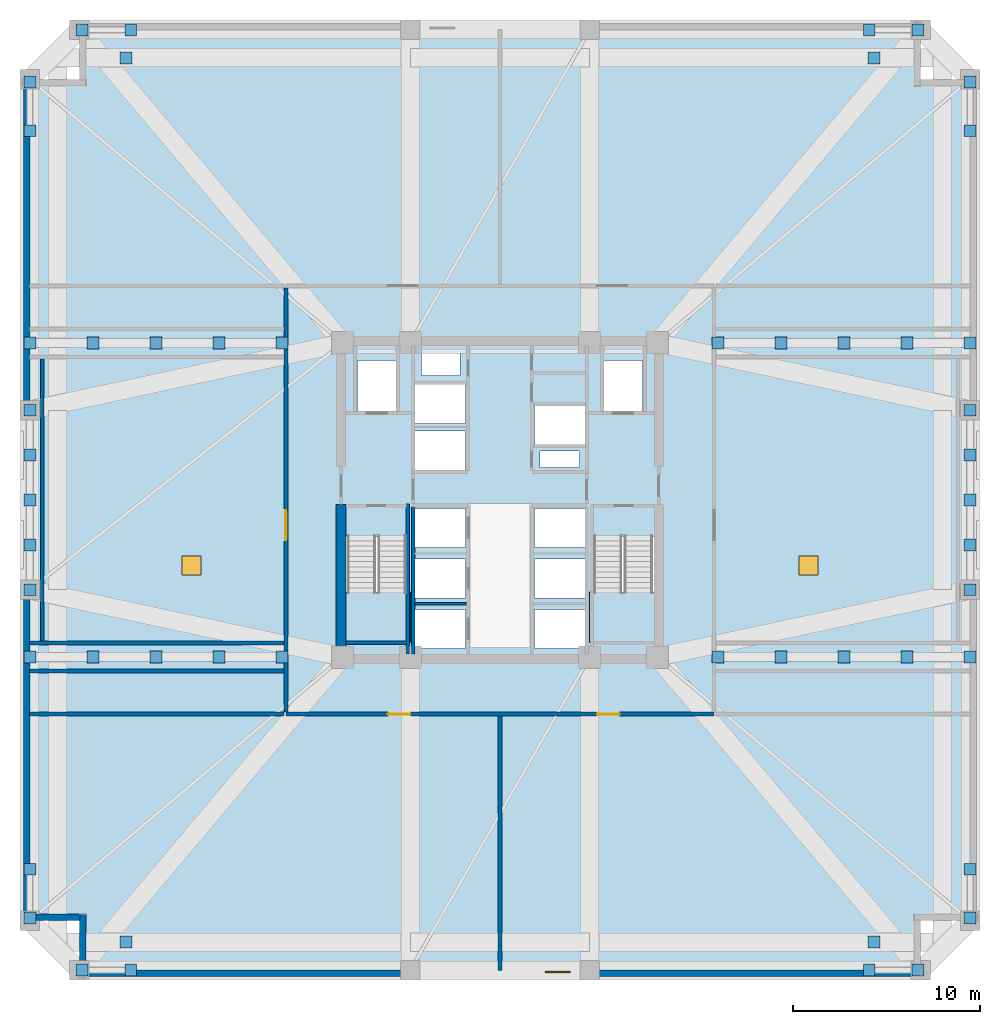
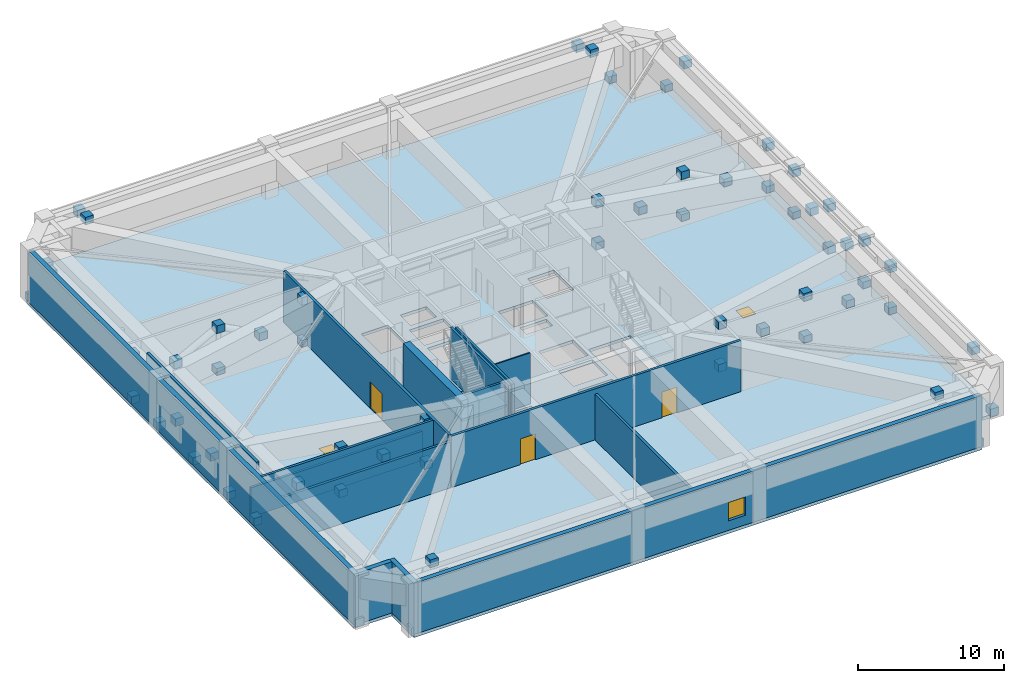
# One storey, part 6 of 13: 68 plates, 16 walls, 5 doors, 3 slabs, 1 window, 6 openings, 2 elements without a shape of their own.
"""IFC4 building model written with IfcOpenShell, lengths in metres."""

from ifc_helpers import new_model, si_unit, direction, frame, frame_2d, origin, origin_2d, place, context, subcontext, project, spatial, polyline, rectangle, outline, extrude, material, layer, layer_set, type_object, element, fill, aggregate, save


model = new_model("IFC4")

# Units and contexts
model_context = context("Model", 3, precision=1e-05, world=origin(), true_north=direction((0.0, 1.0)))
body_context = subcontext(model_context, "Body", "Model", "MODEL_VIEW")
ifc_project = project(units=[si_unit("LENGTHUNIT", "METRE"), si_unit("AREAUNIT", "SQUARE_METRE"), si_unit("VOLUMEUNIT", "CUBIC_METRE"), si_unit("PLANEANGLEUNIT", "RADIAN"), si_unit("MASSUNIT", "GRAM", prefix="KILO")], contexts=[model_context])

# Site, building, storey
site_placement = place(None, origin())
site = spatial("IfcSite", under=ifc_project, at=site_placement, CompositionType="ELEMENT")
building_placement = place(site_placement, origin())
building = spatial("IfcBuilding", under=site, at=building_placement, Name="Cairnveth Concourse Tower", CompositionType="ELEMENT")
storey_placement = place(building_placement, frame((0.0, 0.0, 97.0)))
storey = spatial("IfcBuildingStorey", under=building, at=storey_placement, Name="L26", CompositionType="ELEMENT", Elevation=97.0)

# Plates
ifc_material_1 = material(Name="Steel Grade 350", Category="steel")
ifc_layer_1 = layer(ifc_material_1, 0.028076171875)
ifc_layer_set_1 = layer_set([ifc_layer_1], Name="Steel Grade 350")
plate_type_1 = type_object("IfcPlateType", Name="BELT TRUSS SPLICE CAP PLATE 28", PredefinedType="SHEET", material=ifc_layer_set_1)
for number, where, z_axis, x_axis, name in (
    (1, (26.85009765625, 34.199951171875, -0.06982421875), (0.0, 0.0, 1.0), (1.0, 0.0, 0.0), "Structural Node Plate 0449 L26"),
    (2, (26.85009765625, 39.0, 3.51025390625), (0.0, 0.0, 1.0), (1.0, 0.0, 0.0), "Structural Node Plate 0450 L26"),
    (3, (26.85009765625, 36.60009765625, 1.72021484375), (0.0, 0.0, 1.0), (1.0, 0.0, 0.0), "Structural Node Plate 0451 L26"),
    (4, (26.85009765625, 39.0, -0.06982421875), (0.0, 0.0, 1.0), (1.0, 0.0, 0.0), "Structural Node Plate 0452 L26"),
    (5, (26.85009765625, 34.199951171875, 3.51025390625), (0.0, 0.0, 1.0), (1.0, 0.0, 0.0), "Structural Node Plate 0453 L26"),
    (6, (26.85009765625, 43.800048828125, 3.51025390625), (0.0, 0.0, 1.0), (1.0, 0.0, 0.0), "Structural Node Plate 0454 L26"),
    (7, (26.85009765625, 41.39990234375, 1.72021484375), (0.0, 0.0, 1.0), (1.0, 0.0, 0.0), "Structural Node Plate 0455 L26"),
    (8, (26.85009765625, 43.800048828125, -0.06982421875), (0.0, 0.0, 1.0), (1.0, 0.0, 0.0), "Structural Node Plate 0456 L26"),
    (9, (77.14990234375, 34.199951171875, -0.06982421875), (0.0, 0.0, 1.0), (1.0, 0.0, 0.0), "Structural Node Plate 0457 L26"),
    (10, (77.14990234375, 39.0, 3.51025390625), (0.0, 0.0, 1.0), (1.0, 0.0, 0.0), "Structural Node Plate 0458 L26"),
    (11, (77.14990234375, 36.60009765625, 1.72021484375), (0.0, 0.0, 1.0), (1.0, 0.0, 0.0), "Structural Node Plate 0459 L26"),
    (12, (77.14990234375, 39.0, -0.06982421875), (0.0, 0.0, 1.0), (1.0, 0.0, 0.0), "Structural Node Plate 0460 L26"),
    (13, (77.14990234375, 34.199951171875, 3.51025390625), (0.0, 0.0, 1.0), (1.0, 0.0, 0.0), "Structural Node Plate 0461 L26"),
    (14, (77.14990234375, 43.800048828125, 3.51025390625), (0.0, 0.0, 1.0), (1.0, 0.0, 0.0), "Structural Node Plate 0462 L26"),
    (15, (77.14990234375, 41.39990234375, 1.72021484375), (0.0, 0.0, 1.0), (1.0, 0.0, 0.0), "Structural Node Plate 0463 L26"),
    (16, (77.14990234375, 43.800048828125, -0.06982421875), (0.0, 0.0, 1.0), (1.0, 0.0, 0.0), "Structural Node Plate 0464 L26"),
):
    element("IfcPlate", number, at=place(storey_placement, frame(where, z_axis=z_axis, x_axis=x_axis)), inside=storey, type_object=plate_type_1, Name=name, PredefinedType="SHEET", context=body_context, shape_type="SweptSolid", body=[
        extrude(rectangle(XDim=0.639892578125, YDim=0.639892578125, at=origin_2d()), origin(), (0.0, 0.0, 1.0), 0.639892578125),
    ])
ifc_layer_2 = layer(ifc_material_1, 0.050048828125)
ifc_layer_set_2 = layer_set([ifc_layer_2], Name="Steel Grade 350")
plate_type_2 = type_object("IfcPlateType", Name="LOW OUTRIGGER NODE GUSSET PLATE 50", PredefinedType="USERDEFINED", material=ifc_layer_set_2)
for number, where, z_axis, x_axis, name in (
    (17, (26.85009765625, 30.60009765625, -0.06982421875), (0.0, 0.0, 1.0), (1.0, 0.0, 0.0), "Structural Node Plate 0417 L26"),
    (18, (33.60009765625, 30.60009765625, 3.51025390625), (0.0, 0.0, 1.0), (1.0, 0.0, 0.0), "Structural Node Plate 0418 L26"),
    (19, (30.22509765625, 30.60009765625, 1.72021484375), (0.0, 0.0, 1.0), (1.0, 0.0, 0.0), "Structural Node Plate 0419 L26"),
    (20, (26.85009765625, 30.60009765625, 3.51025390625), (0.0, 0.0, 1.0), (1.0, 0.0, 0.0), "Structural Node Plate 0420 L26"),
    (21, (33.60009765625, 30.60009765625, -0.06982421875), (0.0, 0.0, 1.0), (1.0, 0.0, 0.0), "Structural Node Plate 0421 L26"),
    (22, (40.35009765625, 30.60009765625, 3.51025390625), (0.0, 0.0, 1.0), (1.0, 0.0, 0.0), "Structural Node Plate 0422 L26"),
    (23, (36.97509765625, 30.60009765625, 1.72021484375), (0.0, 0.0, 1.0), (1.0, 0.0, 0.0), "Structural Node Plate 0423 L26"),
    (24, (40.35009765625, 30.60009765625, -0.06982421875), (0.0, 0.0, 1.0), (1.0, 0.0, 0.0), "Structural Node Plate 0424 L26"),
    (25, (26.85009765625, 47.39990234375, -0.06982421875), (0.0, 0.0, 1.0), (1.0, 0.0, 0.0), "Structural Node Plate 0425 L26"),
    (26, (33.60009765625, 47.39990234375, 3.51025390625), (0.0, 0.0, 1.0), (1.0, 0.0, 0.0), "Structural Node Plate 0426 L26"),
    (27, (30.22509765625, 47.39990234375, 1.72021484375), (0.0, 0.0, 1.0), (1.0, 0.0, 0.0), "Structural Node Plate 0427 L26"),
    (28, (26.85009765625, 47.39990234375, 3.51025390625), (0.0, 0.0, 1.0), (1.0, 0.0, 0.0), "Structural Node Plate 0428 L26"),
    (29, (33.60009765625, 47.39990234375, -0.06982421875), (0.0, 0.0, 1.0), (1.0, 0.0, 0.0), "Structural Node Plate 0429 L26"),
    (30, (40.35009765625, 47.39990234375, 3.51025390625), (0.0, 0.0, 1.0), (1.0, 0.0, 0.0), "Structural Node Plate 0430 L26"),
    (31, (36.97509765625, 47.39990234375, 1.72021484375), (0.0, 0.0, 1.0), (1.0, 0.0, 0.0), "Structural Node Plate 0431 L26"),
    (32, (40.35009765625, 47.39990234375, -0.06982421875), (0.0, 0.0, 1.0), (1.0, 0.0, 0.0), "Structural Node Plate 0432 L26"),
    (33, (63.64990234375, 30.60009765625, -0.06982421875), (0.0, 0.0, 1.0), (1.0, 0.0, 0.0), "Structural Node Plate 0433 L26"),
    (34, (70.39990234375, 30.60009765625, 3.51025390625), (0.0, 0.0, 1.0), (1.0, 0.0, 0.0), "Structural Node Plate 0434 L26"),
    (35, (67.02490234375, 30.60009765625, 1.72021484375), (0.0, 0.0, 1.0), (1.0, 0.0, 0.0), "Structural Node Plate 0435 L26"),
    (36, (63.64990234375, 30.60009765625, 3.51025390625), (0.0, 0.0, 1.0), (1.0, 0.0, 0.0), "Structural Node Plate 0436 L26"),
    (37, (70.39990234375, 30.60009765625, -0.06982421875), (0.0, 0.0, 1.0), (1.0, 0.0, 0.0), "Structural Node Plate 0437 L26"),
    (38, (77.14990234375, 30.60009765625, 3.51025390625), (0.0, 0.0, 1.0), (1.0, 0.0, 0.0), "Structural Node Plate 0438 L26"),
    (39, (73.77490234375, 30.60009765625, 1.72021484375), (0.0, 0.0, 1.0), (1.0, 0.0, 0.0), "Structural Node Plate 0439 L26"),
    (40, (77.14990234375, 30.60009765625, -0.06982421875), (0.0, 0.0, 1.0), (1.0, 0.0, 0.0), "Structural Node Plate 0440 L26"),
    (41, (63.64990234375, 47.39990234375, -0.06982421875), (0.0, 0.0, 1.0), (1.0, 0.0, 0.0), "Structural Node Plate 0441 L26"),
    (42, (70.39990234375, 47.39990234375, 3.51025390625), (0.0, 0.0, 1.0), (1.0, 0.0, 0.0), "Structural Node Plate 0442 L26"),
    (43, (67.02490234375, 47.39990234375, 1.72021484375), (0.0, 0.0, 1.0), (1.0, 0.0, 0.0), "Structural Node Plate 0443 L26"),
    (44, (63.64990234375, 47.39990234375, 3.51025390625), (0.0, 0.0, 1.0), (1.0, 0.0, 0.0), "Structural Node Plate 0444 L26"),
    (45, (70.39990234375, 47.39990234375, -0.06982421875), (0.0, 0.0, 1.0), (1.0, 0.0, 0.0), "Structural Node Plate 0445 L26"),
    (46, (77.14990234375, 47.39990234375, 3.51025390625), (0.0, 0.0, 1.0), (1.0, 0.0, 0.0), "Structural Node Plate 0446 L26"),
    (47, (73.77490234375, 47.39990234375, 1.72021484375), (0.0, 0.0, 1.0), (1.0, 0.0, 0.0), "Structural Node Plate 0447 L26"),
    (48, (77.14990234375, 47.39990234375, -0.06982421875), (0.0, 0.0, 1.0), (1.0, 0.0, 0.0), "Structural Node Plate 0448 L26"),
):
    element("IfcPlate", number, at=place(storey_placement, frame(where, z_axis=z_axis, x_axis=x_axis)), inside=storey, type_object=plate_type_2, Name=name, ObjectType="GUSSET PLATE", PredefinedType="USERDEFINED", context=body_context, shape_type="SweptSolid", body=[
        extrude(rectangle(XDim=0.639892578125, YDim=0.639892578125, at=origin_2d()), origin(), (0.0, 0.0, 1.0), 0.639892578125),
    ])
ifc_layer_3 = layer(ifc_material_1, 0.0400390625)
ifc_layer_set_3 = layer_set([ifc_layer_3], Name="Steel Grade 350")
plate_type_3 = type_object("IfcPlateType", Name="LOWER SETBACK KINK NODE PLATE 40", PredefinedType="SHEET", material=ifc_layer_set_3)
for number, where, z_axis, x_axis, name in (
    (49, (32.0, 15.35009765625, 3.91015625), (0.0, 0.0, 1.0), (1.0, 0.0, 0.0), "Structural Node Plate 0397 L26"),
    (50, (72.0, 15.35009765625, 3.91015625), (0.0, 0.0, 1.0), (1.0, 0.0, 0.0), "Structural Node Plate 0398 L26"),
    (51, (72.0, 62.64990234375, 3.91015625), (0.0, 0.0, 1.0), (1.0, 0.0, 0.0), "Structural Node Plate 0399 L26"),
    (52, (32.0, 62.64990234375, 3.91015625), (0.0, 0.0, 1.0), (1.0, 0.0, 0.0), "Structural Node Plate 0400 L26"),
):
    element("IfcPlate", number, at=place(storey_placement, frame(where, z_axis=z_axis, x_axis=x_axis)), inside=storey, type_object=plate_type_3, Name=name, PredefinedType="SHEET", context=body_context, shape_type="SweptSolid", body=[
        extrude(rectangle(XDim=0.639892578125, YDim=0.639892578125, at=origin_2d()), origin(), (0.0, 0.0, 1.0), 0.639892578125),
    ])
ifc_layer_4 = layer(ifc_material_1, 0.031982421875)
ifc_layer_set_4 = layer_set([ifc_layer_4], Name="Steel Grade 350")
plate_type_4 = type_object("IfcPlateType", Name="PERIMETER BRACE GUSSET PLATE 32", PredefinedType="USERDEFINED", material=ifc_layer_set_4)
for number, where, z_axis, x_axis, name in (
    (53, (29.64990234375, 13.85009765625, -0.06982421875), (0.0, 0.0, 1.0), (1.0, 0.0, 0.0), "Structural Node Plate 0401 L26"),
    (54, (32.25, 13.85009765625, 3.51025390625), (0.0, 0.0, 1.0), (1.0, 0.0, 0.0), "Structural Node Plate 0402 L26"),
    (55, (74.35009765625, 13.85009765625, -0.06982421875), (0.0, 0.0, 1.0), (1.0, 0.0, 0.0), "Structural Node Plate 0403 L26"),
    (56, (71.75, 13.85009765625, 3.51025390625), (0.0, 0.0, 1.0), (1.0, 0.0, 0.0), "Structural Node Plate 0404 L26"),
    (57, (29.64990234375, 64.14990234375, -0.06982421875), (0.0, 0.0, 1.0), (1.0, 0.0, 0.0), "Structural Node Plate 0405 L26"),
    (58, (32.25, 64.14990234375, 3.51025390625), (0.0, 0.0, 1.0), (1.0, 0.0, 0.0), "Structural Node Plate 0406 L26"),
    (59, (74.35009765625, 64.14990234375, -0.06982421875), (0.0, 0.0, 1.0), (1.0, 0.0, 0.0), "Structural Node Plate 0407 L26"),
    (60, (71.75, 64.14990234375, 3.51025390625), (0.0, 0.0, 1.0), (1.0, 0.0, 0.0), "Structural Node Plate 0408 L26"),
    (61, (26.85009765625, 16.64990234375, -0.06982421875), (0.0, 0.0, 1.0), (1.0, 0.0, 0.0), "Structural Node Plate 0409 L26"),
    (62, (26.85009765625, 19.25, 3.51025390625), (0.0, 0.0, 1.0), (1.0, 0.0, 0.0), "Structural Node Plate 0410 L26"),
    (63, (26.85009765625, 61.35009765625, -0.06982421875), (0.0, 0.0, 1.0), (1.0, 0.0, 0.0), "Structural Node Plate 0411 L26"),
    (64, (26.85009765625, 58.75, 3.51025390625), (0.0, 0.0, 1.0), (1.0, 0.0, 0.0), "Structural Node Plate 0412 L26"),
    (65, (77.14990234375, 16.64990234375, -0.06982421875), (0.0, 0.0, 1.0), (1.0, 0.0, 0.0), "Structural Node Plate 0413 L26"),
    (66, (77.14990234375, 19.25, 3.51025390625), (0.0, 0.0, 1.0), (1.0, 0.0, 0.0), "Structural Node Plate 0414 L26"),
    (67, (77.14990234375, 61.35009765625, -0.06982421875), (0.0, 0.0, 1.0), (1.0, 0.0, 0.0), "Structural Node Plate 0415 L26"),
    (68, (77.14990234375, 58.75, 3.51025390625), (0.0, 0.0, 1.0), (1.0, 0.0, 0.0), "Structural Node Plate 0416 L26"),
):
    element("IfcPlate", number, at=place(storey_placement, frame(where, z_axis=z_axis, x_axis=x_axis)), inside=storey, type_object=plate_type_4, Name=name, ObjectType="GUSSET PLATE", PredefinedType="USERDEFINED", context=body_context, shape_type="SweptSolid", body=[
        extrude(rectangle(XDim=0.639892578125, YDim=0.639892578125, at=origin_2d()), origin(), (0.0, 0.0, 1.0), 0.639892578125),
    ])

# Slab, openings, doors
ifc_material_2 = material(Name="Concrete N65 (65 MPa)", Category="concrete")
ifc_layer_5 = layer(ifc_material_2, 0.260009765625)
ifc_layer_set_5 = layer_set([ifc_layer_5], Name="Concrete N65 (65 MPa)")
slab_type_1 = type_object("IfcSlabType", Name="PLANT AND OUTRIGGER SLAB 260", PredefinedType="FLOOR", material=ifc_layer_set_5)
slab_1_placement = place(storey_placement, frame((0.0, 0.0, -0.260009765625)))
slab_1 = element("IfcSlab", 69, at=slab_1_placement, inside=storey, type_object=slab_type_1, Name="Tower Floor Slab L26", PredefinedType="FLOOR", context=body_context, shape_type="SweptSolid", body=[
    extrude(outline(polyline([(29.5, 13.5), (74.5, 13.5), (74.5, 16.5), (77.5, 16.5), (77.5, 61.5), (74.5, 61.5), (74.5, 64.5), (29.5, 64.5), (29.5, 61.5), (26.5, 61.5), (26.5, 16.5), (29.5, 16.5), (29.5, 13.5)]), holes=[polyline([(43.760009765625, 31.360107421875), (47.06005859375, 31.360107421875), (47.06005859375, 37.0400390625), (43.760009765625, 37.0400390625), (43.760009765625, 31.360107421875)]), polyline([(56.93994140625, 31.360107421875), (60.239990234375, 31.360107421875), (60.239990234375, 37.0400390625), (56.93994140625, 37.0400390625), (56.93994140625, 31.360107421875)]), polyline([(44.3701171875, 43.75), (46.469970703125, 43.75), (46.469970703125, 46.449951171875), (44.3701171875, 46.449951171875), (44.3701171875, 43.75)]), polyline([(57.530029296875, 43.75), (59.6298828125, 43.75), (59.6298828125, 46.449951171875), (57.530029296875, 46.449951171875), (57.530029296875, 43.75)]), polyline([(47.449951171875, 31.050048828125), (50.14990234375, 31.050048828125), (50.14990234375, 33.14990234375), (47.449951171875, 33.14990234375), (47.449951171875, 31.050048828125)]), polyline([(47.449951171875, 33.75), (50.14990234375, 33.75), (50.14990234375, 35.85009765625), (47.449951171875, 35.85009765625), (47.449951171875, 33.75)]), polyline([(47.449951171875, 36.449951171875), (50.14990234375, 36.449951171875), (50.14990234375, 38.550048828125), (47.449951171875, 38.550048828125), (47.449951171875, 36.449951171875)]), polyline([(53.85009765625, 31.050048828125), (56.550048828125, 31.050048828125), (56.550048828125, 33.14990234375), (53.85009765625, 33.14990234375), (53.85009765625, 31.050048828125)]), polyline([(53.85009765625, 33.75), (56.550048828125, 33.75), (56.550048828125, 35.85009765625), (53.85009765625, 35.85009765625), (53.85009765625, 33.75)]), polyline([(53.85009765625, 36.449951171875), (56.550048828125, 36.449951171875), (56.550048828125, 38.550048828125), (53.85009765625, 38.550048828125), (53.85009765625, 36.449951171875)]), polyline([(47.449951171875, 40.60009765625), (50.14990234375, 40.60009765625), (50.14990234375, 42.699951171875), (47.449951171875, 42.699951171875), (47.449951171875, 40.60009765625)]), polyline([(47.449951171875, 43.10009765625), (50.14990234375, 43.10009765625), (50.14990234375, 45.199951171875), (47.449951171875, 45.199951171875), (47.449951171875, 43.10009765625)]), polyline([(53.85009765625, 41.949951171875), (56.550048828125, 41.949951171875), (56.550048828125, 44.050048828125), (53.85009765625, 44.050048828125), (53.85009765625, 41.949951171875)]), polyline([(47.800048828125, 45.64990234375), (49.85009765625, 45.64990234375), (49.85009765625, 47.050048828125), (47.800048828125, 47.050048828125), (47.800048828125, 45.64990234375)]), polyline([(54.14990234375, 40.75), (56.25, 40.75), (56.25, 41.6201171875), (54.14990234375, 41.6201171875), (54.14990234375, 40.75)]), polyline([(35.0, 35.0), (36.0, 35.0), (36.0, 36.0), (35.0, 36.0), (35.0, 35.0)]), polyline([(68.0, 35.0), (69.0, 35.0), (69.0, 36.0), (68.0, 36.0), (68.0, 35.0)])]), origin(), (0.0, 0.0, 1.0), 0.260009765625),
])
opening_1_placement = place(slab_1_placement, frame((35.5, 35.5, 0.0)))
opening_1 = element("IfcOpeningElement", 70, at=opening_1_placement, cuts=slab_1, Name="Opening RH-01", PredefinedType="OPENING", context=body_context, shape_type="SweptSolid", body=[
    extrude(rectangle(XDim=1.0, YDim=1.0, at=origin_2d()), origin(), (0.0, 0.0, 1.0), 0.260009765625),
])
opening_2_placement = place(slab_1_placement, frame((68.5, 35.5, 0.0)))
opening_2 = element("IfcOpeningElement", 71, at=opening_2_placement, cuts=slab_1, Name="Opening RH-01", PredefinedType="OPENING", context=body_context, shape_type="SweptSolid", body=[
    extrude(rectangle(XDim=1.0, YDim=1.0, at=origin_2d()), origin(), (0.0, 0.0, 1.0), 0.260009765625),
])
ifc_material_3 = material(Name="Architectural Bronze Anodised Aluminium 6063-T6", Category="aluminium")
door_type_1 = type_object("IfcDoorType", Name="PLANT SLAB ACCESS TRAPDOOR HATCH 1000X1000", OperationType="SINGLE_SWING_LEFT", PredefinedType="TRAPDOOR", material=ifc_material_3)
door_1_placement = place(opening_1_placement, frame((0.0, 0.0, 0.2099609375)))
door_1 = element("IfcDoor", 72, at=door_1_placement, inside=storey, type_object=door_type_1, Name="Plant Hoist Trapdoor Hatch L26-1", OperationType="SINGLE_SWING_LEFT", OverallHeight=1.0, OverallWidth=1.0, PredefinedType="TRAPDOOR", context=body_context, shape_type="SweptSolid", body=[
    extrude(rectangle(XDim=1.0, YDim=1.0, at=origin_2d()), origin(), (0.0, 0.0, 1.0), 0.050048828125),
])
fill(opening_1, door_1)
door_2_placement = place(opening_2_placement, frame((0.0, 0.0, 0.2099609375)))
door_2 = element("IfcDoor", 73, at=door_2_placement, inside=storey, type_object=door_type_1, Name="Plant Hoist Trapdoor Hatch L26-2", OperationType="SINGLE_SWING_LEFT", OverallHeight=1.0, OverallWidth=1.0, PredefinedType="TRAPDOOR", context=body_context, shape_type="SweptSolid", body=[
    extrude(rectangle(XDim=1.0, YDim=1.0, at=origin_2d()), origin(), (0.0, 0.0, 1.0), 0.050048828125),
])
fill(opening_2, door_2)

# Stair, slab
ifc_material_4 = material(Name="Precast concrete N50 (50 MPa)", Category="concrete")
stair_type = type_object("IfcStairType", Name="CORE DOG-LEG FIRE STAIR 1500", PredefinedType="HALF_TURN_STAIR", material=ifc_material_4)
stair_1_placement = place(storey_placement, origin())
stair_1 = element("IfcStair", 74, at=stair_1_placement, inside=storey, type_object=stair_type, Name="L26 Fire-Isolated Stair ST-1", PredefinedType="HALF_TURN_STAIR")
ifc_material_5 = material(Name="Concrete N50 (50 MPa)", Category="concrete")
ifc_layer_6 = layer(ifc_material_5, 0.199951171875)
ifc_layer_set_6 = layer_set([ifc_layer_6], Name="Concrete N50 (50 MPa)")
slab_type_2 = type_object("IfcSlabType", Name="STAIR HALF LANDING SLAB 200", PredefinedType="LANDING", material=ifc_layer_set_6)
slab_2_placement = place(storey_placement, frame((0.0, 0.0, 2.050048828125)))
slab_2 = element("IfcSlab", 75, at=slab_2_placement, type_object=slab_type_2, Name="ST-1 landing 1", PredefinedType="LANDING", context=body_context, shape_type="SweptSolid", body=[
    extrude(outline(polyline([(43.6201171875, 34.080078125), (43.6201171875, 31.3701171875), (47.199951171875, 31.3701171875), (47.199951171875, 34.080078125), (43.6201171875, 34.080078125)])), origin(), (0.0, 0.0, 1.0), 0.199951171875),
])
aggregate(stair_1, [slab_2])

stair_2_placement = place(storey_placement, origin())
stair_2 = element("IfcStair", 76, at=stair_2_placement, inside=storey, type_object=stair_type, Name="L26 Fire-Isolated Stair ST-2", PredefinedType="HALF_TURN_STAIR")
slab_3_placement = place(storey_placement, frame((0.0, 0.0, 2.050048828125)))
slab_3 = element("IfcSlab", 77, at=slab_3_placement, type_object=slab_type_2, Name="ST-2 landing 1", PredefinedType="LANDING", context=body_context, shape_type="SweptSolid", body=[
    extrude(outline(polyline([(56.800048828125, 34.080078125), (56.800048828125, 31.3701171875), (60.3798828125, 31.3701171875), (60.3798828125, 34.080078125), (56.800048828125, 34.080078125)])), origin(), (0.0, 0.0, 1.0), 0.199951171875),
])
aggregate(stair_2, [slab_3])

# Walls
ifc_material_6 = material(Name="Concrete N80 (80 MPa)", Category="concrete")
ifc_layer_7 = layer(ifc_material_6, 0.550048828125)
ifc_layer_set_7 = layer_set([ifc_layer_7], Name="Concrete N80 (80 MPa)")
wall_type_1 = type_object("IfcWallType", Name="CORE SHEAR WALL 550", PredefinedType="SHEAR", material=ifc_layer_set_7)
wall_1_placement = place(storey_placement, frame((43.5, 30.764892578125, 0.0), z_axis=(0.0, 0.0, 1.0), x_axis=(0.0, 1.0, 0.0)))
element("IfcWall", 78, at=wall_1_placement, inside=storey, type_object=wall_type_1, Name="Core West Shear Wall S L26", PredefinedType="SHEAR", context=body_context, shape_type="SweptSolid", body=[
    extrude(rectangle(XDim=7.985107421875, YDim=0.550048828125, at=frame_2d((3.99267578125, 0.0))), origin(), (0.0, 0.0, 1.0), 4.280029296875),
])
ifc_layer_8 = layer(ifc_material_5, 0.179931640625)
ifc_layer_set_8 = layer_set([ifc_layer_8], Name="Concrete N50 (50 MPa)")
wall_type_2 = type_object("IfcWallType", Name="FIRE SHAFT WALL 180", PredefinedType="SOLIDWALL", material=ifc_layer_set_8)
wall_2_placement = place(storey_placement, frame((47.35009765625, 30.760009765625, 0.0), z_axis=(0.0, 0.0, 1.0), x_axis=(0.0, 1.0, 0.0)))
element("IfcWall", 79, at=wall_2_placement, inside=storey, type_object=wall_type_2, Name="Interior Wall IW-L26-025", PredefinedType="SOLIDWALL", context=body_context, shape_type="SweptSolid", body=[
    extrude(rectangle(XDim=7.85498046875, YDim=0.179931640625, at=frame_2d((3.927490234375, 0.0))), origin(), (0.0, 0.0, 1.0), 4.280029296875),
])
wall_3_placement = place(storey_placement, frame((43.764892578125, 31.360107421875, 0.0), z_axis=(0.0, 0.0, 1.0), x_axis=(1.0, 0.0, 0.0)))
element("IfcWall", 80, at=wall_3_placement, inside=storey, type_object=wall_type_2, Name="Stair ST-1 Shaft Wall FAR L26", PredefinedType="SOLIDWALL", context=body_context, shape_type="SweptSolid", body=[
    extrude(rectangle(XDim=3.230224609375, YDim=0.179931640625, at=frame_2d((1.615234375, 0.0))), origin(), (0.0, 0.0, 1.0), 4.280029296875),
])
wall_4_placement = place(storey_placement, frame((47.070068359375, 38.780029296875, 0.0), z_axis=(0.0, 0.0, 1.0), x_axis=(0.0, -1.0, 0.0)))
element("IfcWall", 81, at=wall_4_placement, inside=storey, type_object=wall_type_2, Name="Stair ST-1 Shaft Wall RGHT L26", PredefinedType="SOLIDWALL", context=body_context, shape_type="SweptSolid", body=[
    extrude(rectangle(XDim=8.01708984375, YDim=0.179931640625, at=frame_2d((4.008544921875, 0.0))), origin(), (0.0, 0.0, 1.0), 4.280029296875),
])

# Wall, openings, doors
ifc_layer_9 = layer(ifc_material_5, 0.199951171875)
ifc_layer_set_9 = layer_set([ifc_layer_9], Name="Concrete N50 (50 MPa)")
wall_type_3 = type_object("IfcWallType", Name="FIRE SHAFT WALL 200", PredefinedType="SOLIDWALL", material=ifc_layer_set_9)
wall_5_placement = place(storey_placement, frame((40.550048828125, 27.550048828125, 0.0), z_axis=(0.0, 0.0, 1.0), x_axis=(1.0, 0.0, 0.0)))
wall_5 = element("IfcWall", 82, at=wall_5_placement, inside=storey, type_object=wall_type_3, Name="Interior Wall IW-L26-038", PredefinedType="SOLIDWALL", context=body_context, shape_type="SweptSolid", body=[
    extrude(rectangle(XDim=22.89990234375, YDim=0.199951171875, at=frame_2d((11.449951171875, 0.0))), origin(), (0.0, 0.0, 1.0), 4.280029296875),
])
opening_3_placement = place(wall_5_placement, frame((5.449951171875, 0.0, 0.0)))
opening_3 = element("IfcOpeningElement", 83, at=opening_3_placement, cuts=wall_5, Name="Opening ID05", PredefinedType="OPENING", context=body_context, shape_type="SweptSolid", body=[
    extrude(rectangle(XDim=1.199951171875, YDim=2.14990234375, at=frame_2d((0.60009765625, 1.074951171875))), frame((0.0, 0.10986328125, 0.0), z_axis=(0.0, -1.0, 0.0), x_axis=(1.0, 0.0, 0.0)), (0.0, 0.0, 1.0), 0.219970703125),
])
opening_4_placement = place(wall_5_placement, frame((16.64990234375, 0.0, 0.0)))
opening_4 = element("IfcOpeningElement", 84, at=opening_4_placement, cuts=wall_5, Name="Opening ID05", PredefinedType="OPENING", context=body_context, shape_type="SweptSolid", body=[
    extrude(rectangle(XDim=1.199951171875, YDim=2.14990234375, at=frame_2d((0.60009765625, 1.074951171875))), frame((0.0, 0.10986328125, 0.0), z_axis=(0.0, -1.0, 0.0), x_axis=(1.0, 0.0, 0.0)), (0.0, 0.0, 1.0), 0.219970703125),
])
door_type_2 = type_object("IfcDoorType", Name="FIRE CORRIDOR DOOR 1200X2150", OperationType="NOTDEFINED", PredefinedType="DOOR", material=ifc_material_1)
door_3_placement = place(opening_3_placement, origin())
door_3 = element("IfcDoor", 85, at=door_3_placement, inside=storey, type_object=door_type_2, Name="Refuge SW Door L26", OperationType="SINGLE_SWING_RIGHT", OverallHeight=2.14990234375, OverallWidth=1.199951171875, PredefinedType="DOOR", context=body_context, shape_type="SweptSolid", body=[
    extrude(rectangle(XDim=1.199951171875, YDim=2.14990234375, at=frame_2d((0.60009765625, 1.074951171875))), frame((0.0, 0.02490234375, 0.0), z_axis=(0.0, -1.0, 0.0), x_axis=(1.0, 0.0, 0.0)), (0.0, 0.0, 1.0), 0.050048828125),
])
fill(opening_3, door_3)
door_4_placement = place(opening_4_placement, origin())
door_4 = element("IfcDoor", 86, at=door_4_placement, inside=storey, type_object=door_type_2, Name="Refuge SE Door L26", OperationType="SINGLE_SWING_LEFT", OverallHeight=2.14990234375, OverallWidth=1.199951171875, PredefinedType="DOOR", context=body_context, shape_type="SweptSolid", body=[
    extrude(rectangle(XDim=1.199951171875, YDim=2.14990234375, at=frame_2d((0.60009765625, 1.074951171875))), frame((0.0, 0.02490234375, 0.0), z_axis=(0.0, -1.0, 0.0), x_axis=(1.0, 0.0, 0.0)), (0.0, 0.0, 1.0), 0.050048828125),
])
fill(opening_4, door_4)

# Wall, opening, door
wall_6_placement = place(storey_placement, frame((40.550048828125, 27.64990234375, 0.0), z_axis=(0.0, 0.0, 1.0), x_axis=(0.0, 1.0, 0.0)))
wall_6 = element("IfcWall", 87, at=wall_6_placement, inside=storey, type_object=wall_type_3, Name="Interior Wall IW-L26-040", PredefinedType="SOLIDWALL", context=body_context, shape_type="SweptSolid", body=[
    extrude(rectangle(XDim=22.7001953125, YDim=0.199951171875, at=frame_2d((11.35009765625, 0.0))), origin(), (0.0, 0.0, 1.0), 4.280029296875),
])
opening_5_placement = place(wall_6_placement, frame((9.199951171875, 0.0, 0.0)))
opening_5 = element("IfcOpeningElement", 88, at=opening_5_placement, cuts=wall_6, Name="Opening ID02", PredefinedType="OPENING", context=body_context, shape_type="SweptSolid", body=[
    extrude(rectangle(XDim=1.60009765625, YDim=2.199951171875, at=frame_2d((0.800048828125, 1.10009765625))), frame((0.0, 0.10986328125, 0.0), z_axis=(0.0, -1.0, 0.0), x_axis=(1.0, 0.0, 0.0)), (0.0, 0.0, 1.0), 0.219970703125),
])
door_type_3 = type_object("IfcDoorType", Name="PLANT DOUBLE DOOR 1600X2200", OperationType="DOUBLE_DOOR_SINGLE_SWING", PredefinedType="DOOR", material=ifc_material_1)
door_5_placement = place(opening_5_placement, origin())
door_5 = element("IfcDoor", 89, at=door_5_placement, inside=storey, type_object=door_type_3, Name="Interior Door DR-L26-018", OperationType="DOUBLE_DOOR_SINGLE_SWING", OverallHeight=2.199951171875, OverallWidth=1.60009765625, PredefinedType="DOOR", context=body_context, shape_type="SweptSolid", body=[
    extrude(rectangle(XDim=1.60009765625, YDim=2.199951171875, at=frame_2d((0.800048828125, 1.10009765625))), frame((0.0, 0.02490234375, 0.0), z_axis=(0.0, -1.0, 0.0), x_axis=(1.0, 0.0, 0.0)), (0.0, 0.0, 1.0), 0.050048828125),
])
fill(opening_5, door_5)

# Walls
wall_7_placement = place(storey_placement, frame((26.844970703125, 29.85009765625, 0.0), z_axis=(0.0, 0.0, 1.0), x_axis=(1.0, 0.0, 0.0)))
element("IfcWall", 90, at=wall_7_placement, inside=storey, type_object=wall_type_3, Name="Interior Wall IW-L26-042", PredefinedType="SOLIDWALL", context=body_context, shape_type="SweptSolid", body=[
    extrude(rectangle(XDim=13.60498046875, YDim=0.199951171875, at=frame_2d((6.802490234375, 0.0))), origin(), (0.0, 0.0, 1.0), 4.280029296875),
])
wall_8_placement = place(storey_placement, frame((26.844970703125, 31.35009765625, 0.0), z_axis=(0.0, 0.0, 1.0), x_axis=(1.0, 0.0, 0.0)))
element("IfcWall", 91, at=wall_8_placement, inside=storey, type_object=wall_type_3, Name="Interior Wall IW-L26-044", PredefinedType="SOLIDWALL", context=body_context, shape_type="SweptSolid", body=[
    extrude(rectangle(XDim=13.60498046875, YDim=0.199951171875, at=frame_2d((6.802490234375, 0.0))), origin(), (0.0, 0.0, 1.0), 2.455078125),
])
wall_9_placement = place(storey_placement, frame((27.52001953125, 31.449951171875, 0.0), z_axis=(0.0, 0.0, 1.0), x_axis=(0.0, 1.0, 0.0)))
element("IfcWall", 92, at=wall_9_placement, inside=storey, type_object=wall_type_3, Name="Interior Wall IW-L26-050", PredefinedType="SOLIDWALL", context=body_context, shape_type="SweptSolid", body=[
    extrude(rectangle(XDim=15.10009765625, YDim=0.199951171875, at=frame_2d((7.550048828125, 0.0))), origin(), (0.0, 0.0, 1.0), 4.280029296875),
])
for number, where, z_axis, x_axis, name in (
    (93, (52.0, 13.844970703125, 0.0), (0.0, 0.0, 1.0), (0.0, 1.0, 0.0), "Interior Wall IW-L26-052"),
    (94, (26.844970703125, 27.550048828125, 0.0), (0.0, 0.0, 1.0), (1.0, 0.0, 0.0), "Interior Wall IW-L26-053"),
):
    element("IfcWall", number, at=place(storey_placement, frame(where, z_axis=z_axis, x_axis=x_axis)), inside=storey, type_object=wall_type_3, Name=name, PredefinedType="SOLIDWALL", context=body_context, shape_type="SweptSolid", body=[
        extrude(rectangle(XDim=13.60498046875, YDim=0.199951171875, at=frame_2d((6.802490234375, 0.0))), origin(), (0.0, 0.0, 1.0), 3.84912109375),
    ])
ifc_material_7 = material(Name="Gypsum Plasterboard Partition", Category="gypsum")
ifc_layer_10 = layer(ifc_material_7, 0.110107421875)
ifc_layer_set_10 = layer_set([ifc_layer_10], Name="Gypsum Plasterboard Partition")
wall_type_4 = type_object("IfcWallType", Name="SHAFT DIVIDER WALL 140", PredefinedType="PARTITIONING", material=ifc_layer_set_10)
wall_10_placement = place(storey_placement, frame((47.425048828125, 33.449951171875, 0.0), z_axis=(0.0, 0.0, 1.0), x_axis=(1.0, 0.0, 0.0)))
element("IfcWall", 95, at=wall_10_placement, inside=storey, type_object=wall_type_4, Name="Interior Wall IW-L26-026", PredefinedType="PARTITIONING", context=body_context, shape_type="SweptSolid", body=[
    extrude(rectangle(XDim=2.7900390625, YDim=0.110107421875, at=frame_2d((1.39501953125, 0.0))), origin(), (0.0, 0.0, 1.0), 4.280029296875),
])
ifc_material_8 = material(Name="Hawthorn Red-Ochre Fired Clay Brick Masonry", Category="masonry")
ifc_layer_11 = layer(ifc_material_8, 0.360107421875)
ifc_layer_set_11 = layer_set([ifc_layer_11], Name="Hawthorn Red-Ochre Fired Clay Brick Masonry")
wall_type_5 = type_object("IfcWallType", Name="ZONE 1 BRICK PIER SPANDREL WALL 360", PredefinedType="SOLIDWALL", material=ifc_layer_set_11)
wall_11_placement = place(storey_placement, frame((29.679931640625, 13.5, 0.0), z_axis=(0.0, 0.0, 1.0), x_axis=(0.0, 1.0, 0.0)))
element("IfcWall", 96, at=wall_11_placement, inside=storey, type_object=wall_type_5, Name="Exterior Wall EW-L26-S00", PredefinedType="SOLIDWALL", context=body_context, shape_type="SweptSolid", body=[
    extrude(rectangle(XDim=3.360107421875, YDim=0.360107421875, at=frame_2d((1.68017578125, 0.0))), origin(), (0.0, 0.0, 1.0), 4.280029296875),
])
wall_12_placement = place(storey_placement, frame((29.52197265625, 16.679931640625, 0.0), z_axis=(0.0, 0.0, 1.0), x_axis=(-1.0, 0.0, 0.0)))
element("IfcWall", 97, at=wall_12_placement, inside=storey, type_object=wall_type_5, Name="Exterior Wall EW-L26-S01", PredefinedType="SOLIDWALL", context=body_context, shape_type="SweptSolid", body=[
    extrude(rectangle(XDim=2.68408203125, YDim=0.360107421875, at=frame_2d((1.342041015625, 0.0))), origin(), (0.0, 0.0, 1.0), 4.280029296875),
])
wall_13_placement = place(storey_placement, frame((26.679931640625, 16.5, 0.0), z_axis=(0.0, 0.0, 1.0), x_axis=(0.0, 1.0, 0.0)))
element("IfcWall", 98, at=wall_13_placement, inside=storey, type_object=wall_type_5, Name="Exterior Wall EW-L26-S02", PredefinedType="SOLIDWALL", context=body_context, shape_type="SweptSolid", body=[
    extrude(rectangle(XDim=44.662109375, YDim=0.360107421875, at=frame_2d((22.3310546875, 0.0))), origin(), (0.0, 0.0, 1.0), 4.280029296875),
])

# Wall, opening, window
wall_14_placement = place(storey_placement, frame((74.5, 13.679931640625, 0.0), z_axis=(0.0, 0.0, 1.0), x_axis=(-1.0, 0.0, 0.0)))
wall_14 = element("IfcWall", 99, at=wall_14_placement, inside=storey, type_object=wall_type_5, Name="Exterior Wall EW-L26-S11", PredefinedType="SOLIDWALL", context=body_context, shape_type="SweptSolid", body=[
    extrude(rectangle(XDim=44.662109375, YDim=0.360107421875, at=frame_2d((22.3310546875, 0.0))), origin(), (0.0, 0.0, 1.0), 4.280029296875),
])
opening_6_placement = place(wall_14_placement, frame((18.73095703125, 0.0, 0.800048828125)))
opening_6 = element("IfcOpeningElement", 100, at=opening_6_placement, cuts=wall_14, Name="Opening W05", PredefinedType="OPENING", context=body_context, shape_type="SweptSolid", body=[
    extrude(rectangle(XDim=1.35009765625, YDim=1.530029296875, at=frame_2d((0.675048828125, 0.76513671875))), frame((0.0, 0.18994140625, 0.0), z_axis=(0.0, -1.0, 0.0), x_axis=(1.0, 0.0, 0.0)), (0.0, 0.0, 1.0), 0.380126953125),
])
ifc_material_9 = material(Name="Double Glazed Low-E Clear Glass", Category="glass")
window_type = type_object("IfcWindowType", Name="DEEP-SET HOTEL CASEMENT WINDOW 1400X1750", PartitioningType="DOUBLE_PANEL_VERTICAL", PredefinedType="WINDOW", material=ifc_material_9)
window_placement = place(opening_6_placement, origin())
window = element("IfcWindow", 101, at=window_placement, inside=storey, type_object=window_type, Name="WIN-L26-REF-S11", OverallHeight=1.530029296875, OverallWidth=1.35009765625, PartitioningType="SINGLE_PANEL", PredefinedType="WINDOW", context=body_context, shape_type="SweptSolid", body=[
    extrude(rectangle(XDim=1.35009765625, YDim=1.530029296875, at=frame_2d((0.675048828125, 0.76513671875))), frame((0.0, -0.0400390625, 0.0), z_axis=(0.0, -1.0, 0.0), x_axis=(1.0, 0.0, 0.0)), (0.0, 0.0, 1.0), 0.06005859375),
])
fill(opening_6, window)

save(model, "model.ifc")
